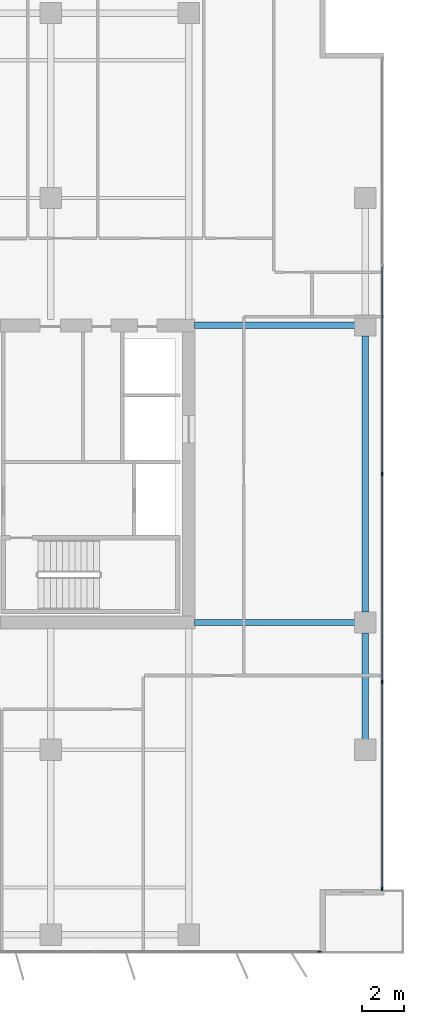
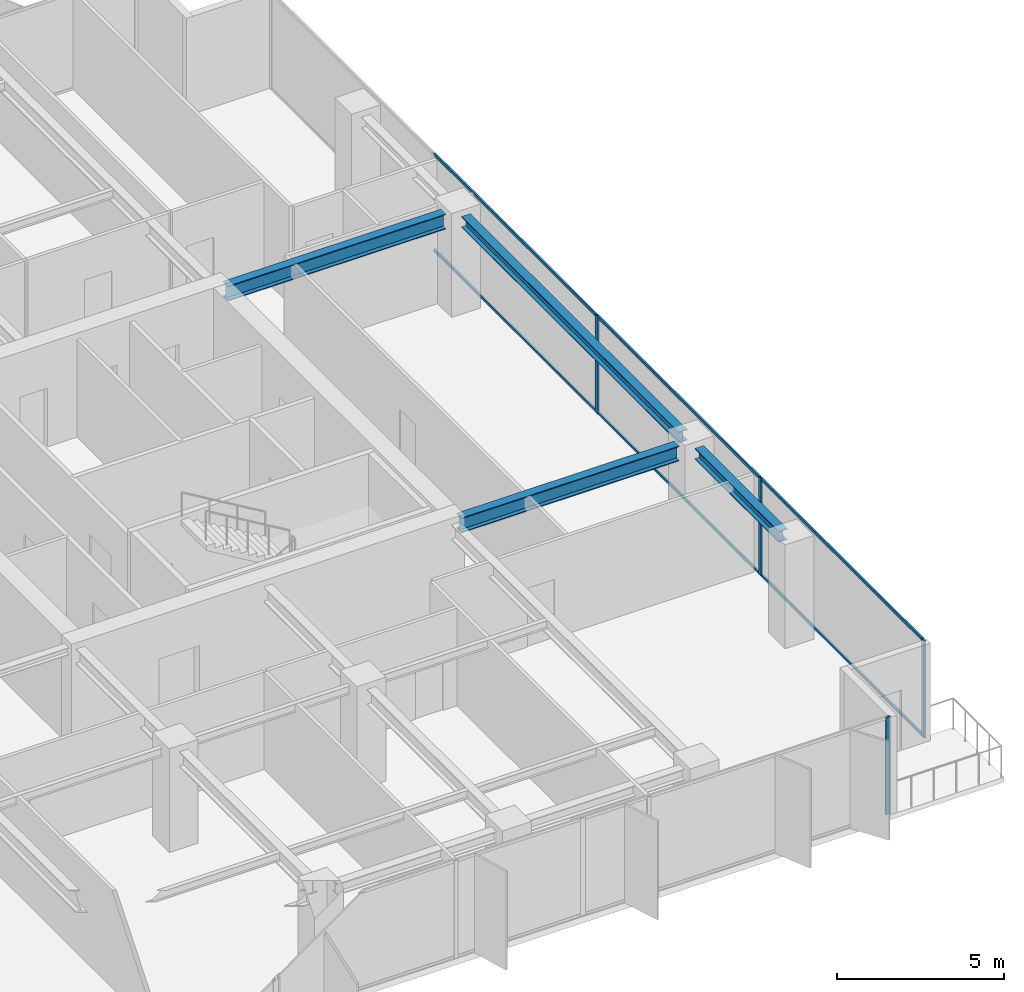
# One storey, part 12 of 22: 10 members, 4 beams, 2 elements without a shape of their own.
"""IFC4 building model written with IfcOpenShell, lengths in metres."""

from ifc_helpers import new_model, si_unit, direction, frame, origin, origin_2d, place, context, subcontext, project, spatial, rectangle, i_section, extrude, material, layer, layer_set, material_profile, profile_set, type_object, element, aggregate, save


model = new_model("IFC4")

# Units and contexts
model_context = context("Model", 3, precision=1e-05, world=origin(), true_north=direction((0.0, 1.0)))
body_context = subcontext(model_context, "Body", "Model", "MODEL_VIEW")
ifc_project = project(units=[si_unit("LENGTHUNIT", "METRE"), si_unit("AREAUNIT", "SQUARE_METRE"), si_unit("VOLUMEUNIT", "CUBIC_METRE"), si_unit("PLANEANGLEUNIT", "RADIAN"), si_unit("MASSUNIT", "GRAM", prefix="KILO")], contexts=[model_context])

# Site, building, storey
site_placement = place(None, origin())
site = spatial("IfcSite", under=ifc_project, at=site_placement, CompositionType="ELEMENT")
building_placement = place(site_placement, origin())
building = spatial("IfcBuilding", under=site, at=building_placement, Name="Putna Gate Headquarters", CompositionType="ELEMENT")
storey_placement = place(building_placement, frame((0.0, 0.0, 186.0)))
storey = spatial("IfcBuildingStorey", under=building, at=storey_placement, Name="L46", CompositionType="ELEMENT", Elevation=186.0)

# Beams
ifc_material_1 = material(Name="Steel S355J2", Category="steel")
ifc_material_profile_1 = material_profile(ifc_material_1, i_section(OverallWidth=0.300048828125, OverallDepth=0.550048828125, WebThickness=0.014892578125, FlangeThickness=0.029052734375, at=origin_2d()), Name="Steel S355J2")
ifc_profile_set_1 = profile_set([ifc_material_profile_1], Name="Steel S355J2")
beam_type_1 = type_object("IfcBeamType", Name="BM-GIRD-Z3-HEB550", PredefinedType="USERDEFINED", material=ifc_profile_set_1)
for number, where, z_axis, x_axis, name in (
    (1, (65.284912109375, 19.0, 3.297119140625), (1.0, 0.0, 0.0), (0.0, 1.0, 0.0), "L46 East Wing Girder Y19"),
    (2, (65.284912109375, 33.0, 3.297119140625), (1.0, 0.0, 0.0), (0.0, 1.0, 0.0), "L46 East Wing Girder Y33"),
):
    element("IfcBeam", number, at=place(storey_placement, frame(where, z_axis=z_axis, x_axis=x_axis)), inside=storey, type_object=beam_type_1, Name=name, ObjectType="GIRDER", PredefinedType="USERDEFINED", context=body_context, shape_type="SweptSolid", body=[
        extrude(i_section(OverallWidth=0.300048828125, OverallDepth=0.550048828125, WebThickness=0.014892578125, FlangeThickness=0.029052734375, at=origin_2d()), origin(), (0.0, 0.0, 1.0), 7.547119140625),
    ])
ifc_material_profile_2 = material_profile(ifc_material_1, i_section(OverallWidth=0.300048828125, OverallDepth=0.39990234375, WebThickness=0.013427734375, FlangeThickness=0.02392578125, at=origin_2d()), Name="Steel S355J2")
ifc_profile_set_2 = profile_set([ifc_material_profile_2], Name="Steel S355J2")
beam_type_2 = type_object("IfcBeamType", Name="BM-SPAN-Z3-HEB400", PredefinedType="SPANDREL", material=ifc_profile_set_2)
beam_1_placement = place(storey_placement, frame((73.320068359375, 13.488037109375, 3.3720703125), z_axis=(0.0, 1.0, 0.0), x_axis=(-1.0, 0.0, 0.0)))
element("IfcBeam", 3, at=beam_1_placement, inside=storey, type_object=beam_type_2, Name="L46 E End Spandrel 1", PredefinedType="SPANDREL", context=body_context, shape_type="SweptSolid", body=[
    extrude(i_section(OverallWidth=0.300048828125, OverallDepth=0.39990234375, WebThickness=0.013427734375, FlangeThickness=0.02392578125, at=origin_2d()), origin(), (0.0, 0.0, 1.0), 5.02392578125),
])
beam_2_placement = place(storey_placement, frame((73.320068359375, 19.488037109375, 3.3720703125), z_axis=(0.0, 1.0, 0.0), x_axis=(-1.0, 0.0, 0.0)))
element("IfcBeam", 4, at=beam_2_placement, inside=storey, type_object=beam_type_2, Name="L46 E End Spandrel 2", PredefinedType="SPANDREL", context=body_context, shape_type="SweptSolid", body=[
    extrude(i_section(OverallWidth=0.300048828125, OverallDepth=0.39990234375, WebThickness=0.013427734375, FlangeThickness=0.02392578125, at=origin_2d()), origin(), (0.0, 0.0, 1.0), 13.02392578125),
])

# Curtain wall, member
ifc_material_2 = material(Name="Anodised bronze aluminium curtain wall", Category="aluminium")
ifc_layer = layer(ifc_material_2, 0.159912109375)
ifc_layer_set = layer_set([ifc_layer], Name="Anodised bronze aluminium curtain wall")
curtain_wall_type = type_object("IfcCurtainWallType", Name="CW-SYS-Z3", PredefinedType="USERDEFINED", material=ifc_layer_set)
curtain_wall_1_placement = place(storey_placement, origin())
curtain_wall_1 = element("IfcCurtainWall", 5, at=curtain_wall_1_placement, inside=storey, type_object=curtain_wall_type, Name="L46 South East Curtain Wall", ObjectType="STICK CURTAIN WALL", PredefinedType="USERDEFINED")
ifc_material_3 = material(Name="Anodised bronze aluminium EN AW-6060", Category="aluminium")
ifc_material_profile_3 = material_profile(ifc_material_3, rectangle(XDim=0.06494140625, YDim=0.159912109375, at=origin_2d()), Name="Anodised bronze aluminium EN AW-6060")
ifc_profile_set_3 = profile_set([ifc_material_profile_3], Name="Anodised bronze aluminium EN AW-6060")
member_type_1 = type_object("IfcMemberType", Name="MULL-CWM-3", PredefinedType="MULLION", material=ifc_profile_set_3)
member_1_placement = place(storey_placement, frame((71.16748046875, 3.47998046875, 0.0), z_axis=(0.0, 0.0, 1.0), x_axis=(0.0, 1.0, 0.0)))
member_1 = element("IfcMember", 6, at=member_1_placement, type_object=member_type_1, Name="CWS-3 mullion 3", PredefinedType="MULLION", context=body_context, shape_type="SweptSolid", body=[
    extrude(rectangle(XDim=0.06494140625, YDim=0.159912109375, at=origin_2d()), origin(), (0.0, 0.0, 1.0), 3.572021484375),
])
aggregate(curtain_wall_1, [member_1])

# Curtain wall, members
curtain_wall_2_placement = place(storey_placement, origin())
curtain_wall_2 = element("IfcCurtainWall", 7, at=curtain_wall_2_placement, inside=storey, type_object=curtain_wall_type, Name="L46 East Curtain Wall", ObjectType="STICK CURTAIN WALL", PredefinedType="USERDEFINED")
member_2_placement = place(storey_placement, frame((74.1201171875, 6.4326171875, 0.0), z_axis=(0.0, 0.0, 1.0), x_axis=(-1.0, 0.0, 0.0)))
member_2 = element("IfcMember", 8, at=member_2_placement, type_object=member_type_1, Name="CWS-3 mullion 1", PredefinedType="MULLION", context=body_context, shape_type="SweptSolid", body=[
    extrude(rectangle(XDim=0.06494140625, YDim=0.159912109375, at=origin_2d()), origin(), (0.0, 0.0, 1.0), 3.572021484375),
])
member_3_placement = place(storey_placement, frame((74.1201171875, 16.199951171875, 0.0), z_axis=(0.0, 0.0, 1.0), x_axis=(-1.0, 0.0, 0.0)))
member_3 = element("IfcMember", 9, at=member_3_placement, type_object=member_type_1, Name="CWS-3 mullion 2", PredefinedType="MULLION", context=body_context, shape_type="SweptSolid", body=[
    extrude(rectangle(XDim=0.06494140625, YDim=0.159912109375, at=origin_2d()), origin(), (0.0, 0.0, 1.0), 3.572021484375),
])
member_4_placement = place(storey_placement, frame((74.1201171875, 26.0, 0.0), z_axis=(0.0, 0.0, 1.0), x_axis=(-1.0, 0.0, 0.0)))
member_4 = element("IfcMember", 10, at=member_4_placement, type_object=member_type_1, Name="CWS-3 mullion 3", PredefinedType="MULLION", context=body_context, shape_type="SweptSolid", body=[
    extrude(rectangle(XDim=0.06494140625, YDim=0.159912109375, at=origin_2d()), origin(), (0.0, 0.0, 1.0), 3.572021484375),
])
ifc_material_profile_4 = material_profile(ifc_material_3, rectangle(XDim=0.06005859375, YDim=0.10009765625, at=origin_2d()), Name="Anodised bronze aluminium EN AW-6060")
ifc_profile_set_4 = profile_set([ifc_material_profile_4], Name="Anodised bronze aluminium EN AW-6060")
member_type_2 = type_object("IfcMemberType", Name="TRAN-CWT-3", PredefinedType="USERDEFINED", material=ifc_profile_set_4)
member_5_placement = place(storey_placement, frame((74.1201171875, 6.465087890625, 0.030029296875), z_axis=(0.0, 1.0, 0.0), x_axis=(-1.0, 0.0, 0.0)))
member_5 = element("IfcMember", 11, at=member_5_placement, type_object=member_type_2, Name="CWS-3 transom 1.1", ObjectType="TRANSOM", PredefinedType="USERDEFINED", context=body_context, shape_type="SweptSolid", body=[
    extrude(rectangle(XDim=0.06005859375, YDim=0.10009765625, at=origin_2d()), origin(), (0.0, 0.0, 1.0), 9.702392578125),
])
member_6_placement = place(storey_placement, frame((74.1201171875, 6.465087890625, 3.5419921875), z_axis=(0.0, 1.0, 0.0), x_axis=(-1.0, 0.0, 0.0)))
member_6 = element("IfcMember", 12, at=member_6_placement, type_object=member_type_2, Name="CWS-3 transom 1.2", ObjectType="TRANSOM", PredefinedType="USERDEFINED", context=body_context, shape_type="SweptSolid", body=[
    extrude(rectangle(XDim=0.06005859375, YDim=0.10009765625, at=origin_2d()), origin(), (0.0, 0.0, 1.0), 9.702392578125),
])
member_7_placement = place(storey_placement, frame((74.1201171875, 16.232421875, 0.030029296875), z_axis=(0.0, 1.0, 0.0), x_axis=(-1.0, 0.0, 0.0)))
member_7 = element("IfcMember", 13, at=member_7_placement, type_object=member_type_2, Name="CWS-3 transom 2.1", ObjectType="TRANSOM", PredefinedType="USERDEFINED", context=body_context, shape_type="SweptSolid", body=[
    extrude(rectangle(XDim=0.06005859375, YDim=0.10009765625, at=origin_2d()), origin(), (0.0, 0.0, 1.0), 9.735107421875),
])
member_8_placement = place(storey_placement, frame((74.1201171875, 16.232421875, 3.5419921875), z_axis=(0.0, 1.0, 0.0), x_axis=(-1.0, 0.0, 0.0)))
member_8 = element("IfcMember", 14, at=member_8_placement, type_object=member_type_2, Name="CWS-3 transom 2.2", ObjectType="TRANSOM", PredefinedType="USERDEFINED", context=body_context, shape_type="SweptSolid", body=[
    extrude(rectangle(XDim=0.06005859375, YDim=0.10009765625, at=origin_2d()), origin(), (0.0, 0.0, 1.0), 9.735107421875),
])
member_9_placement = place(storey_placement, frame((74.1201171875, 26.032470703125, 0.030029296875), z_axis=(0.0, 1.0, 0.0), x_axis=(-1.0, 0.0, 0.0)))
member_9 = element("IfcMember", 15, at=member_9_placement, type_object=member_type_2, Name="CWS-3 transom 3.1", ObjectType="TRANSOM", PredefinedType="USERDEFINED", context=body_context, shape_type="SweptSolid", body=[
    extrude(rectangle(XDim=0.06005859375, YDim=0.10009765625, at=origin_2d()), origin(), (0.0, 0.0, 1.0), 9.735107421875),
])
member_10_placement = place(storey_placement, frame((74.1201171875, 26.032470703125, 3.5419921875), z_axis=(0.0, 1.0, 0.0), x_axis=(-1.0, 0.0, 0.0)))
member_10 = element("IfcMember", 16, at=member_10_placement, type_object=member_type_2, Name="CWS-3 transom 3.2", ObjectType="TRANSOM", PredefinedType="USERDEFINED", context=body_context, shape_type="SweptSolid", body=[
    extrude(rectangle(XDim=0.06005859375, YDim=0.10009765625, at=origin_2d()), origin(), (0.0, 0.0, 1.0), 9.735107421875),
])
aggregate(curtain_wall_2, [member_2, member_3, member_4, member_5, member_6, member_7, member_8, member_9, member_10])

save(model, "model.ifc")
